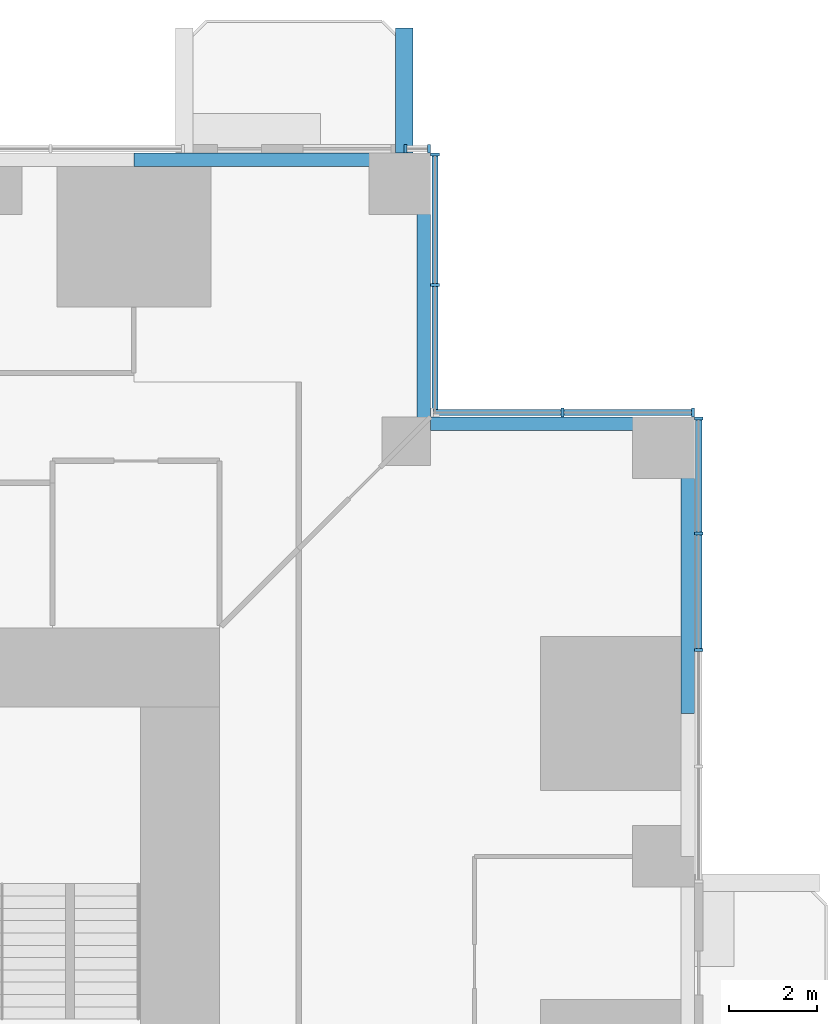
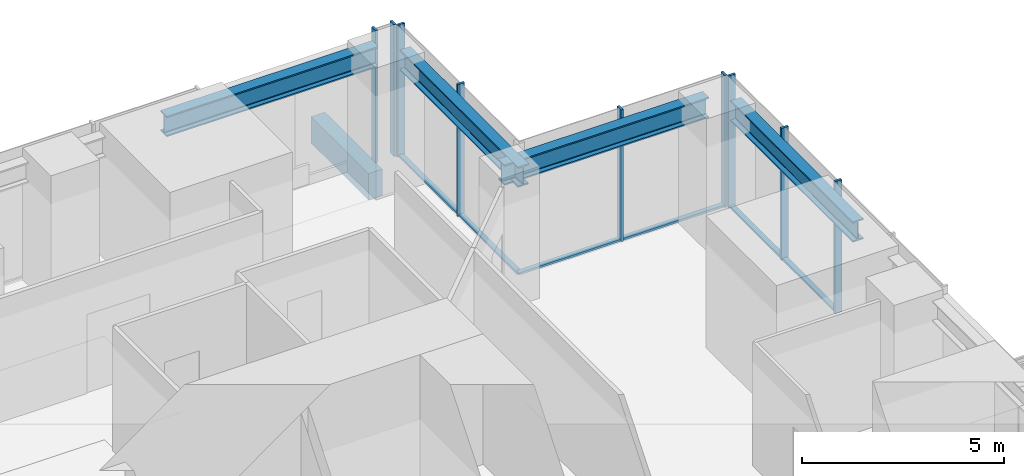
# One storey, part 6 of 17: 15 members, 5 beams, 4 elements without a shape of their own.
"""IFC4 building model written with IfcOpenShell, lengths in metres."""

from ifc_helpers import new_model, si_unit, direction, frame, origin, origin_2d, place, context, subcontext, project, spatial, rectangle, i_section, extrude, material, material_profile, profile_set, type_object, element, aggregate, save


model = new_model("IFC4")

# Units and contexts
model_context = context("Model", 3, precision=1e-05, world=origin(), true_north=direction((0.0, 1.0)))
body_context = subcontext(model_context, "Body", "Model", "MODEL_VIEW")
ifc_project = project(units=[si_unit("LENGTHUNIT", "METRE"), si_unit("AREAUNIT", "SQUARE_METRE"), si_unit("VOLUMEUNIT", "CUBIC_METRE"), si_unit("PLANEANGLEUNIT", "RADIAN"), si_unit("MASSUNIT", "GRAM", prefix="KILO")], contexts=[model_context])

# Site, building, storey
site_placement = place(None, origin())
site = spatial("IfcSite", under=ifc_project, at=site_placement, CompositionType="ELEMENT")
building_placement = place(site_placement, origin())
building = spatial("IfcBuilding", under=site, at=building_placement, Name="Svetlomir Tower", CompositionType="ELEMENT")
storey_placement = place(building_placement, frame((0.0, 0.0, 38.5)))
storey = spatial("IfcBuildingStorey", under=building, at=storey_placement, Name="L08", CompositionType="ELEMENT", Elevation=38.5)

# Beam
ifc_material_1 = material(Name="Concrete C60/75", Category="concrete")
ifc_material_profile_1 = material_profile(ifc_material_1, rectangle(XDim=0.39990234375, YDim=0.800048828125, at=origin_2d()), Name="RC 400x800")
ifc_profile_set_1 = profile_set([ifc_material_profile_1], Name="Concrete C60/75")
beam_type_1 = type_object("IfcBeamType", Name="BALCONY RIB RC 400x800", PredefinedType="BEAM", material=ifc_profile_set_1)
beam_placement = place(storey_placement, frame((35.39990234375, 42.0, -0.64990234375), z_axis=(0.0, 1.0, 0.0), x_axis=(-1.0, 0.0, 0.0)))
element("IfcBeam", 1, at=beam_placement, inside=storey, type_object=beam_type_1, Name="Balcony rib N 2 L08", PredefinedType="BEAM", context=body_context, shape_type="SweptSolid", body=[
    extrude(rectangle(XDim=0.39990234375, YDim=0.800048828125, at=origin_2d()), origin(), (0.0, 0.0, 1.0), 2.85009765625),
])

# Curtain wall, members
ifc_material_2 = material(Name="Bronze anodised aluminium curtain wall", Category="aluminium")
curtain_wall_type = type_object("IfcCurtainWallType", Name="CURTAIN WALL CW1 TOWER OFFICE", PredefinedType="NOTDEFINED", material=ifc_material_2)
curtain_wall_1_placement = place(storey_placement, origin())
curtain_wall_1 = element("IfcCurtainWall", 2, at=curtain_wall_1_placement, inside=storey, type_object=curtain_wall_type, Name="Curtain wall CW1 L08", PredefinedType="NOTDEFINED")
ifc_material_3 = material(Name="Bronze anodised aluminium", Category="aluminium")
ifc_material_profile_2 = material_profile(ifc_material_3, rectangle(XDim=0.06494140625, YDim=0.199951171875, at=origin_2d()), Name="AL 65x200")
ifc_profile_set_2 = profile_set([ifc_material_profile_2], Name="Bronze anodised aluminium 6063-T6")
member_type_1 = type_object("IfcMemberType", Name="CW1 MULLION 65x200", PredefinedType="MULLION", material=ifc_profile_set_2)
member_1_placement = place(storey_placement, frame((42.10009765625, 30.699951171875, 0.0), z_axis=(0.0, 0.0, 1.0), x_axis=(0.0, 1.0, 0.0)))
member_1 = element("IfcMember", 3, at=member_1_placement, type_object=member_type_1, Name="CW1 mullion 3", PredefinedType="MULLION", context=body_context, shape_type="SweptSolid", body=[
    extrude(rectangle(XDim=0.06494140625, YDim=0.199951171875, at=origin_2d()), origin(), (0.0, 0.0, 1.0), 4.0),
])
member_2_placement = place(storey_placement, frame((42.10009765625, 33.35009765625, 0.0), z_axis=(0.0, 0.0, 1.0), x_axis=(0.0, 1.0, 0.0)))
member_2 = element("IfcMember", 4, at=member_2_placement, type_object=member_type_1, Name="CW1 mullion 4", PredefinedType="MULLION", context=body_context, shape_type="SweptSolid", body=[
    extrude(rectangle(XDim=0.06494140625, YDim=0.199951171875, at=origin_2d()), origin(), (0.0, 0.0, 1.0), 4.0),
])
member_3_placement = place(storey_placement, frame((42.10009765625, 35.967529296875, 0.0), z_axis=(0.0, 0.0, 1.0), x_axis=(0.0, 1.0, 0.0)))
member_3 = element("IfcMember", 5, at=member_3_placement, type_object=member_type_1, Name="CW1 mullion 5", PredefinedType="MULLION", context=body_context, shape_type="SweptSolid", body=[
    extrude(rectangle(XDim=0.06494140625, YDim=0.199951171875, at=origin_2d()), origin(), (0.0, 0.0, 1.0), 4.0),
])

curtain_wall_2_placement = place(storey_placement, origin())
curtain_wall_2 = element("IfcCurtainWall", 6, at=curtain_wall_2_placement, inside=storey, type_object=curtain_wall_type, Name="Curtain wall CW1 L08", PredefinedType="NOTDEFINED")
member_4_placement = place(storey_placement, frame((41.967529296875, 36.10009765625, 0.0), z_axis=(0.0, 0.0, 1.0), x_axis=(-1.0, 0.0, 0.0)))
member_4 = element("IfcMember", 7, at=member_4_placement, type_object=member_type_1, Name="CW1 mullion 1", PredefinedType="MULLION", context=body_context, shape_type="SweptSolid", body=[
    extrude(rectangle(XDim=0.06494140625, YDim=0.199951171875, at=origin_2d()), origin(), (0.0, 0.0, 1.0), 4.0),
])
member_5_placement = place(storey_placement, frame((39.0, 36.10009765625, 0.0), z_axis=(0.0, 0.0, 1.0), x_axis=(-1.0, 0.0, 0.0)))
member_5 = element("IfcMember", 8, at=member_5_placement, type_object=member_type_1, Name="CW1 mullion 2", PredefinedType="MULLION", context=body_context, shape_type="SweptSolid", body=[
    extrude(rectangle(XDim=0.06494140625, YDim=0.199951171875, at=origin_2d()), origin(), (0.0, 0.0, 1.0), 4.0),
])

curtain_wall_3_placement = place(storey_placement, origin())
curtain_wall_3 = element("IfcCurtainWall", 9, at=curtain_wall_3_placement, inside=storey, type_object=curtain_wall_type, Name="Curtain wall CW1 L08", PredefinedType="NOTDEFINED")
member_6_placement = place(storey_placement, frame((36.10009765625, 39.0, 0.0), z_axis=(0.0, 0.0, 1.0), x_axis=(0.0, 1.0, 0.0)))
member_6 = element("IfcMember", 10, at=member_6_placement, type_object=member_type_1, Name="CW1 mullion 2", PredefinedType="MULLION", context=body_context, shape_type="SweptSolid", body=[
    extrude(rectangle(XDim=0.06494140625, YDim=0.199951171875, at=origin_2d()), origin(), (0.0, 0.0, 1.0), 4.0),
])
member_7_placement = place(storey_placement, frame((36.10009765625, 41.967529296875, 0.0), z_axis=(0.0, 0.0, 1.0), x_axis=(0.0, 1.0, 0.0)))
member_7 = element("IfcMember", 11, at=member_7_placement, type_object=member_type_1, Name="CW1 mullion 3", PredefinedType="MULLION", context=body_context, shape_type="SweptSolid", body=[
    extrude(rectangle(XDim=0.06494140625, YDim=0.199951171875, at=origin_2d()), origin(), (0.0, 0.0, 1.0), 4.0),
])

curtain_wall_4_placement = place(storey_placement, origin())
curtain_wall_4 = element("IfcCurtainWall", 12, at=curtain_wall_4_placement, inside=storey, type_object=curtain_wall_type, Name="Curtain wall CW1 L08", PredefinedType="NOTDEFINED")
member_8_placement = place(storey_placement, frame((35.967529296875, 42.10009765625, 0.0), z_axis=(0.0, 0.0, 1.0), x_axis=(-1.0, 0.0, 0.0)))
member_8 = element("IfcMember", 13, at=member_8_placement, type_object=member_type_1, Name="CW1 mullion 1", PredefinedType="MULLION", context=body_context, shape_type="SweptSolid", body=[
    extrude(rectangle(XDim=0.06494140625, YDim=0.199951171875, at=origin_2d()), origin(), (0.0, 0.0, 1.0), 4.0),
])
member_9_placement = place(storey_placement, frame((35.4326171875, 42.10009765625, 0.0), z_axis=(0.0, 0.0, 1.0), x_axis=(-1.0, 0.0, 0.0)))
member_9 = element("IfcMember", 14, at=member_9_placement, type_object=member_type_1, Name="CW1 mullion 2", PredefinedType="MULLION", context=body_context, shape_type="SweptSolid", body=[
    extrude(rectangle(XDim=0.06494140625, YDim=0.199951171875, at=origin_2d()), origin(), (0.0, 0.0, 1.0), 4.0),
])
aggregate(curtain_wall_4, [member_8, member_9])

# Member
ifc_material_4 = material(Name="Bronze anodised aluminium", Category="aluminium")
ifc_material_profile_3 = material_profile(ifc_material_4, rectangle(XDim=0.139892578125, YDim=0.06494140625, at=origin_2d()), Name="AL 140x65")
ifc_profile_set_3 = profile_set([ifc_material_profile_3], Name="Bronze anodised aluminium 6063-T6")
member_type_2 = type_object("IfcMemberType", Name="CW1 TRANSOM 65x140", PredefinedType="USERDEFINED", material=ifc_profile_set_3)
member_10_placement = place(storey_placement, frame((42.10009765625, 30.732421875, 0.032470703125), z_axis=(0.0, 1.0, 0.0), x_axis=(-1.0, 0.0, 0.0)))
member_10 = element("IfcMember", 15, at=member_10_placement, type_object=member_type_2, Name="CW1 transom 3.1", ObjectType="TRANSOM", PredefinedType="USERDEFINED", context=body_context, shape_type="SweptSolid", body=[
    extrude(rectangle(XDim=0.139892578125, YDim=0.06494140625, at=origin_2d()), origin(), (0.0, 0.0, 1.0), 2.5849609375),
])

member_11_placement = place(storey_placement, frame((42.10009765625, 33.382568359375, 0.032470703125), z_axis=(0.0, 1.0, 0.0), x_axis=(-1.0, 0.0, 0.0)))
member_11 = element("IfcMember", 16, at=member_11_placement, type_object=member_type_2, Name="CW1 transom 4.1", ObjectType="TRANSOM", PredefinedType="USERDEFINED", context=body_context, shape_type="SweptSolid", body=[
    extrude(rectangle(XDim=0.139892578125, YDim=0.06494140625, at=origin_2d()), origin(), (0.0, 0.0, 1.0), 2.552490234375),
])

aggregate(curtain_wall_1, [member_1, member_2, member_3, member_10, member_11])

member_12_placement = place(storey_placement, frame((41.93505859375, 36.10009765625, 0.032470703125), z_axis=(-1.0, 0.0, 0.0), x_axis=(0.0, -1.0, 0.0)))
member_12 = element("IfcMember", 17, at=member_12_placement, type_object=member_type_2, Name="CW1 transom 1.1", ObjectType="TRANSOM", PredefinedType="USERDEFINED", context=body_context, shape_type="SweptSolid", body=[
    extrude(rectangle(XDim=0.139892578125, YDim=0.06494140625, at=origin_2d()), origin(), (0.0, 0.0, 1.0), 2.902587890625),
])

member_13_placement = place(storey_placement, frame((38.967529296875, 36.10009765625, 0.032470703125), z_axis=(-1.0, 0.0, 0.0), x_axis=(0.0, -1.0, 0.0)))
member_13 = element("IfcMember", 18, at=member_13_placement, type_object=member_type_2, Name="CW1 transom 2.1", ObjectType="TRANSOM", PredefinedType="USERDEFINED", context=body_context, shape_type="SweptSolid", body=[
    extrude(rectangle(XDim=0.139892578125, YDim=0.06494140625, at=origin_2d()), origin(), (0.0, 0.0, 1.0), 2.902587890625),
])

aggregate(curtain_wall_2, [member_4, member_5, member_12, member_13])

member_14_placement = place(storey_placement, frame((36.10009765625, 36.06494140625, 0.032470703125), z_axis=(0.0, 1.0, 0.0), x_axis=(-1.0, 0.0, 0.0)))
member_14 = element("IfcMember", 19, at=member_14_placement, type_object=member_type_2, Name="CW1 transom 1.1", ObjectType="TRANSOM", PredefinedType="USERDEFINED", context=body_context, shape_type="SweptSolid", body=[
    extrude(rectangle(XDim=0.139892578125, YDim=0.06494140625, at=origin_2d()), origin(), (0.0, 0.0, 1.0), 2.902587890625),
])

member_15_placement = place(storey_placement, frame((36.10009765625, 39.032470703125, 0.032470703125), z_axis=(0.0, 1.0, 0.0), x_axis=(-1.0, 0.0, 0.0)))
member_15 = element("IfcMember", 20, at=member_15_placement, type_object=member_type_2, Name="CW1 transom 2.1", ObjectType="TRANSOM", PredefinedType="USERDEFINED", context=body_context, shape_type="SweptSolid", body=[
    extrude(rectangle(XDim=0.139892578125, YDim=0.06494140625, at=origin_2d()), origin(), (0.0, 0.0, 1.0), 2.902587890625),
])

aggregate(curtain_wall_3, [member_6, member_7, member_14, member_15])

# Beams
ifc_material_5 = material(Name="Steel S355", Category="steel")
ifc_material_profile_4 = material_profile(ifc_material_5, i_section(OverallWidth=0.304931640625, OverallDepth=0.6201171875, WebThickness=0.02099609375, FlangeThickness=0.0400390625, FilletRadius=0.027099609375, at=origin_2d()), Name="HEM 600")
ifc_profile_set_4 = profile_set([ifc_material_profile_4], Name="Steel S355")
beam_type_2 = type_object("IfcBeamType", Name="EDGE BEAM HEM 600", PredefinedType="SPANDREL", material=ifc_profile_set_4)
for number, where, z_axis, x_axis, name in (
    (21, (41.847412109375, 29.25, 3.43994140625), (0.0, 1.0, 0.0), (-1.0, 0.0, 0.0), "Edge beam 42/31 to 42/36 under L09"),
    (22, (29.25, 41.847412109375, 3.43994140625), (1.0, 0.0, 0.0), (0.0, 1.0, 0.0), "Edge beam 31/42 to 36/42 under L09"),
):
    element("IfcBeam", number, at=place(storey_placement, frame(where, z_axis=z_axis, x_axis=x_axis)), inside=storey, type_object=beam_type_2, Name=name, PredefinedType="SPANDREL", context=body_context, shape_type="SweptSolid", body=[
        extrude(i_section(OverallWidth=0.304931640625, OverallDepth=0.6201171875, WebThickness=0.02099609375, FlangeThickness=0.0400390625, FilletRadius=0.027099609375, at=origin_2d()), origin(), (0.0, 0.0, 1.0), 6.050048828125),
    ])
for number, where, z_axis, x_axis, name in (
    (23, (35.847412109375, 41.300048828125, 3.43994140625), (0.0, -1.0, 0.0), (1.0, 0.0, 0.0), "Edge beam 36/42 to 36/36 under L09"),
    (24, (41.300048828125, 35.847412109375, 3.43994140625), (-1.0, 0.0, 0.0), (0.0, -1.0, 0.0), "Edge beam 42/36 to 36/36 under L09"),
):
    element("IfcBeam", number, at=place(storey_placement, frame(where, z_axis=z_axis, x_axis=x_axis)), inside=storey, type_object=beam_type_2, Name=name, PredefinedType="SPANDREL", context=body_context, shape_type="SweptSolid", body=[
        extrude(i_section(OverallWidth=0.304931640625, OverallDepth=0.6201171875, WebThickness=0.02099609375, FlangeThickness=0.0400390625, FilletRadius=0.027099609375, at=origin_2d()), origin(), (0.0, 0.0, 1.0), 5.85009765625),
    ])

save(model, "model.ifc")
